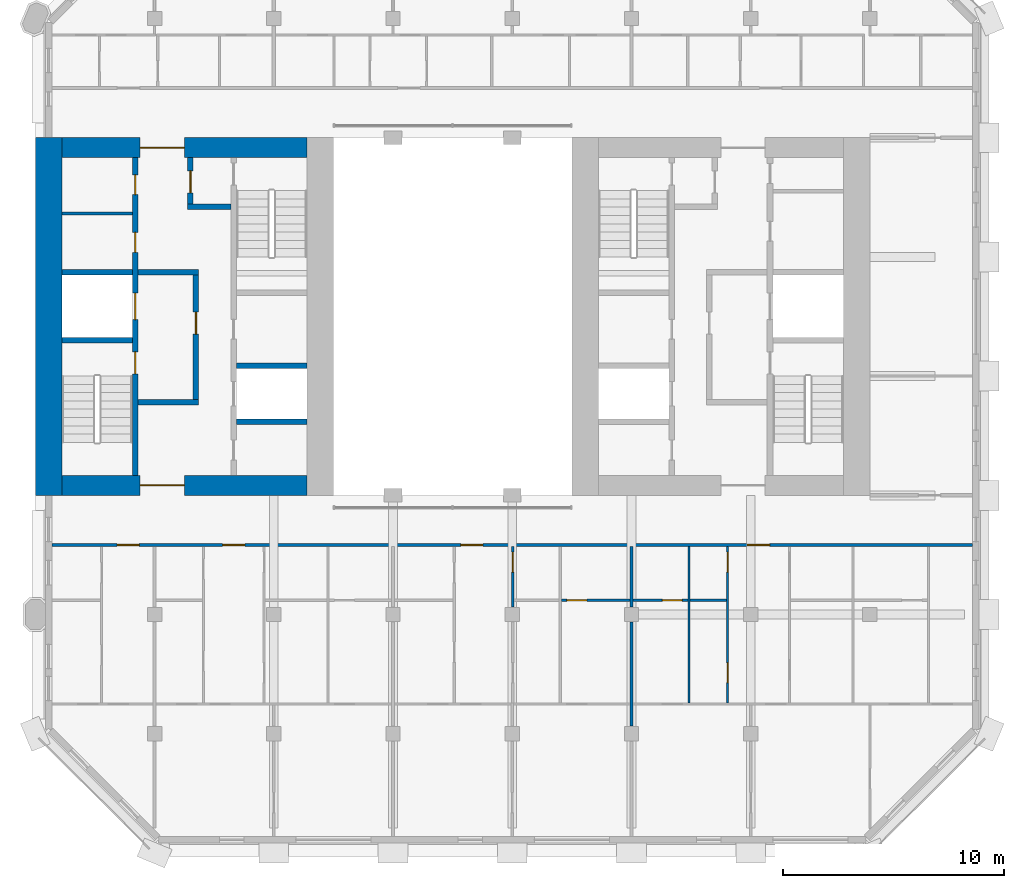
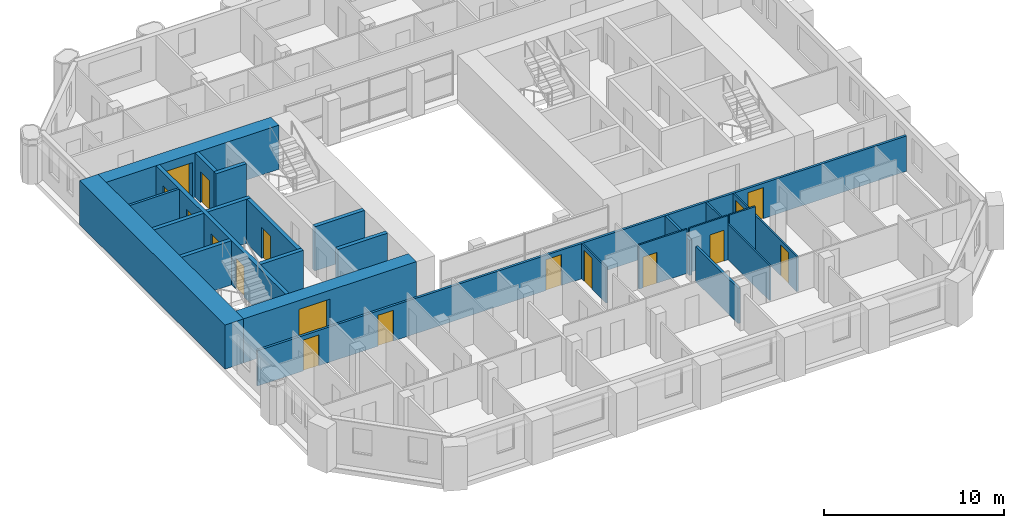
# One storey, part 9 of 16: 23 walls, 17 doors, 17 openings.
"""IFC4 building model written with IfcOpenShell, lengths in metres."""

from ifc_helpers import new_model, si_unit, direction, frame, frame_2d, origin, place, context, subcontext, project, spatial, rectangle, extrude, material, layer, layer_set, type_object, element, fill, save


model = new_model("IFC4")

# Units and contexts
model_context = context("Model", 3, precision=1e-05, world=origin(), true_north=direction((0.0, 1.0)))
body_context = subcontext(model_context, "Body", "Model", "MODEL_VIEW")
ifc_project = project(units=[si_unit("LENGTHUNIT", "METRE"), si_unit("AREAUNIT", "SQUARE_METRE"), si_unit("VOLUMEUNIT", "CUBIC_METRE"), si_unit("PLANEANGLEUNIT", "RADIAN"), si_unit("MASSUNIT", "GRAM", prefix="KILO")], contexts=[model_context])

# Site, building, storey
site_placement = place(None, origin())
site = spatial("IfcSite", under=ifc_project, at=site_placement, CompositionType="ELEMENT")
building_placement = place(site_placement, origin())
building = spatial("IfcBuilding", under=site, at=building_placement, Name="Tabaq Tower and Sports Hall", CompositionType="ELEMENT")
storey_placement = place(building_placement, frame((0.0, 0.0, 268.60009765625)))
storey = spatial("IfcBuildingStorey", under=building, at=storey_placement, Name="L65", CompositionType="ELEMENT", Elevation=268.60009765625)

# Walls
ifc_material_1 = material(Name="Blockwork", Category="masonry")
ifc_layer_1 = layer(ifc_material_1, 0.14990234375)
ifc_layer_set_1 = layer_set([ifc_layer_1], Name="Core room partition 150 Blockwork")
wall_type_1 = type_object("IfcWallType", Name="Core room partition 150 Blockwork", PredefinedType="PARTITIONING", material=ifc_layer_set_1)
wall_1_placement = place(storey_placement, frame((6.60009765625, 28.962890625, 0.0), z_axis=(0.0, 0.0, 1.0), x_axis=(1.0, 0.0, 0.0)))
element("IfcWall", 1, at=wall_1_placement, inside=storey, type_object=wall_type_1, Name="Core room partition W L65", PredefinedType="PARTITIONING", context=body_context, shape_type="SweptSolid", body=[
    extrude(rectangle(XDim=3.199951171875, YDim=0.14990234375, at=frame_2d((1.60009765625, 0.0))), origin(), (0.0, 0.0, 1.0), 3.0),
])
ifc_material_2 = material(Name="Concrete C40/50", Category="concrete")
ifc_layer_2 = layer(ifc_material_2, 1.199951171875)
ifc_layer_set_2 = layer_set([ifc_layer_2], Name="Core wall 1200 Concrete C40/50")
wall_type_2 = type_object("IfcWallType", Name="Core wall 1200 Concrete C40/50", PredefinedType="SOLIDWALL", material=ifc_layer_set_2)
wall_2_placement = place(storey_placement, frame((6.0, 16.199951171875, 0.0), z_axis=(0.0, 0.0, 1.0), x_axis=(0.0, 1.0, 0.0)))
element("IfcWall", 2, at=wall_2_placement, inside=storey, type_object=wall_type_2, Name="Core wall W L65", PredefinedType="SOLIDWALL", context=body_context, shape_type="SweptSolid", body=[
    extrude(rectangle(XDim=16.199951171875, YDim=1.199951171875, at=frame_2d((8.10009765625, 0.0))), origin(), (0.0, 0.0, 1.0), 3.0),
])

# Wall, opening, door
ifc_material_3 = material(Name="Concrete C40/50", Category="concrete")
ifc_layer_3 = layer(ifc_material_3, 0.89990234375)
ifc_layer_set_3 = layer_set([ifc_layer_3], Name="Core wall 900 Concrete C40/50")
wall_type_3 = type_object("IfcWallType", Name="Core wall 900 Concrete C40/50", PredefinedType="SOLIDWALL", material=ifc_layer_set_3)
wall_3_placement = place(storey_placement, frame((17.699951171875, 16.64990234375, 0.0), z_axis=(0.0, 0.0, 1.0), x_axis=(-1.0, 0.0, 0.0)))
wall_3 = element("IfcWall", 3, at=wall_3_placement, inside=storey, type_object=wall_type_3, Name="Core wall W L65", PredefinedType="SOLIDWALL", context=body_context, shape_type="SweptSolid", body=[
    extrude(rectangle(XDim=11.099853515625, YDim=0.89990234375, at=frame_2d((5.5498046875, 0.0))), origin(), (0.0, 0.0, 1.0), 3.0),
])
opening_1_placement = place(wall_3_placement, frame((5.550048828125, 0.0, 0.0)))
opening_1 = element("IfcOpeningElement", 4, at=opening_1_placement, cuts=wall_3, Name="Opening PD-WL65-01", PredefinedType="OPENING", context=body_context, shape_type="SweptSolid", body=[
    extrude(rectangle(XDim=2.0, YDim=2.39990234375, at=frame_2d((1.0, 1.199951171875))), frame((0.0, 0.449951171875, 0.0), z_axis=(0.0, -1.0, 0.0), x_axis=(1.0, 0.0, 0.0)), (0.0, 0.0, 1.0), 0.89990234375),
])
ifc_material_4 = material(Name="Steel fire door", Category="steel")
door_type_1 = type_object("IfcDoorType", Name="Core entrance door 2000", OperationType="DOUBLE_DOOR_SINGLE_SWING", PredefinedType="DOOR", material=ifc_material_4)
door_1_placement = place(opening_1_placement, origin())
door_1 = element("IfcDoor", 5, at=door_1_placement, inside=storey, type_object=door_type_1, Name="Core entrance south W L65", OperationType="DOUBLE_DOOR_SINGLE_SWING", OverallHeight=2.39990234375, OverallWidth=2.0, PredefinedType="DOOR", context=body_context, shape_type="SweptSolid", body=[
    extrude(rectangle(XDim=2.0, YDim=2.39990234375, at=frame_2d((1.0, 1.199951171875))), frame((0.0, 0.02490234375, 0.0), z_axis=(0.0, -1.0, 0.0), x_axis=(1.0, 0.0, 0.0)), (0.0, 0.0, 1.0), 0.050048828125),
])
fill(opening_1, door_1)

wall_4_placement = place(storey_placement, frame((6.60009765625, 31.949951171875, 0.0), z_axis=(0.0, 0.0, 1.0), x_axis=(1.0, 0.0, 0.0)))
wall_4 = element("IfcWall", 6, at=wall_4_placement, inside=storey, type_object=wall_type_3, Name="Core wall W L65", PredefinedType="SOLIDWALL", context=body_context, shape_type="SweptSolid", body=[
    extrude(rectangle(XDim=11.099853515625, YDim=0.89990234375, at=frame_2d((5.5498046875, 0.0))), origin(), (0.0, 0.0, 1.0), 3.0),
])
opening_2_placement = place(wall_4_placement, frame((3.550048828125, 0.0, 0.0)))
opening_2 = element("IfcOpeningElement", 7, at=opening_2_placement, cuts=wall_4, Name="Opening PD-WL65-02", PredefinedType="OPENING", context=body_context, shape_type="SweptSolid", body=[
    extrude(rectangle(XDim=2.0, YDim=2.39990234375, at=frame_2d((1.0, 1.199951171875))), frame((0.0, 0.449951171875, 0.0), z_axis=(0.0, -1.0, 0.0), x_axis=(1.0, 0.0, 0.0)), (0.0, 0.0, 1.0), 0.89990234375),
])
door_2_placement = place(opening_2_placement, origin())
door_2 = element("IfcDoor", 8, at=door_2_placement, inside=storey, type_object=door_type_1, Name="Core entrance north W L65", OperationType="DOUBLE_DOOR_SINGLE_SWING", OverallHeight=2.39990234375, OverallWidth=2.0, PredefinedType="DOOR", context=body_context, shape_type="SweptSolid", body=[
    extrude(rectangle(XDim=2.0, YDim=2.39990234375, at=frame_2d((1.0, 1.199951171875))), frame((0.0, 0.02490234375, 0.0), z_axis=(0.0, -1.0, 0.0), x_axis=(1.0, 0.0, 0.0)), (0.0, 0.0, 1.0), 0.050048828125),
])
fill(opening_2, door_2)

ifc_material_5 = material(Name="Gypsum board on steel studs", Category="steel")
ifc_layer_4 = layer(ifc_material_5, 0.10009765625)
ifc_layer_set_4 = layer_set([ifc_layer_4], Name="Partition 100 Gypsum board")
wall_type_4 = type_object("IfcWallType", Name="Partition 100 Gypsum board", PredefinedType="PARTITIONING", material=ifc_layer_set_4)
wall_5_placement = place(storey_placement, frame((27.02001953125, 11.14501953125, 0.0), z_axis=(0.0, 0.0, 1.0), x_axis=(0.0, 1.0, 0.0)))
wall_5 = element("IfcWall", 9, at=wall_5_placement, inside=storey, type_object=wall_type_4, Name="Partition wall L65", PredefinedType="PARTITIONING", context=body_context, shape_type="SweptSolid", body=[
    extrude(rectangle(XDim=2.72998046875, YDim=0.10009765625, at=frame_2d((1.364990234375, 0.0))), origin(), (0.0, 0.0, 1.0), 2.39990234375),
])
opening_3_placement = place(wall_5_placement, frame((1.580078125, 0.0, 0.0)))
opening_3 = element("IfcOpeningElement", 10, at=opening_3_placement, cuts=wall_5, Name="Opening L65-021", PredefinedType="OPENING", context=body_context, shape_type="SweptSolid", body=[
    extrude(rectangle(XDim=0.89990234375, YDim=2.10009765625, at=frame_2d((0.449951171875, 1.050048828125))), frame((0.0, 0.050048828125, 0.0), z_axis=(0.0, -1.0, 0.0), x_axis=(1.0, 0.0, 0.0)), (0.0, 0.0, 1.0), 0.10009765625),
])
ifc_material_6 = material(Name="Timber leaf in steel frame", Category="steel")
door_type_2 = type_object("IfcDoorType", Name="Internal door 900 left hand", OperationType="SINGLE_SWING_LEFT", PredefinedType="DOOR", material=ifc_material_6)
door_3_placement = place(opening_3_placement, origin())
door_3 = element("IfcDoor", 11, at=door_3_placement, inside=storey, type_object=door_type_2, Name="Internal door L65-021", OperationType="SINGLE_SWING_LEFT", OverallHeight=2.10009765625, OverallWidth=0.89990234375, PredefinedType="DOOR", context=body_context, shape_type="SweptSolid", body=[
    extrude(rectangle(XDim=0.89990234375, YDim=2.10009765625, at=frame_2d((0.449951171875, 1.050048828125))), frame((0.0, 0.02490234375, 0.0), z_axis=(0.0, -1.0, 0.0), x_axis=(1.0, 0.0, 0.0)), (0.0, 0.0, 1.0), 0.050048828125),
])
fill(opening_3, door_3)

wall_6_placement = place(storey_placement, frame((32.324951171875, 11.449951171875, 0.0), z_axis=(0.0, 0.0, 1.0), x_axis=(-1.0, 0.0, 0.0)))
wall_6 = element("IfcWall", 12, at=wall_6_placement, inside=storey, type_object=wall_type_4, Name="Partition wall L65", PredefinedType="PARTITIONING", context=body_context, shape_type="SweptSolid", body=[
    extrude(rectangle(XDim=3.098876953125, YDim=0.10009765625, at=frame_2d((1.54931640625, 0.0))), origin(), (0.0, 0.0, 1.0), 3.0),
])
opening_4_placement = place(wall_6_placement, frame((1.948974609375, 0.0, 0.0)))
opening_4 = element("IfcOpeningElement", 13, at=opening_4_placement, cuts=wall_6, Name="Opening L65-022", PredefinedType="OPENING", context=body_context, shape_type="SweptSolid", body=[
    extrude(rectangle(XDim=0.89990234375, YDim=2.10009765625, at=frame_2d((0.449951171875, 1.050048828125))), frame((0.0, 0.050048828125, 0.0), z_axis=(0.0, -1.0, 0.0), x_axis=(1.0, 0.0, 0.0)), (0.0, 0.0, 1.0), 0.10009765625),
])
door_4_placement = place(opening_4_placement, origin())
door_4 = element("IfcDoor", 14, at=door_4_placement, inside=storey, type_object=door_type_2, Name="Internal door L65-022", OperationType="SINGLE_SWING_LEFT", OverallHeight=2.10009765625, OverallWidth=0.89990234375, PredefinedType="DOOR", context=body_context, shape_type="SweptSolid", body=[
    extrude(rectangle(XDim=0.89990234375, YDim=2.10009765625, at=frame_2d((0.449951171875, 1.050048828125))), frame((0.0, 0.02490234375, 0.0), z_axis=(0.0, -1.0, 0.0), x_axis=(1.0, 0.0, 0.0)), (0.0, 0.0, 1.0), 0.050048828125),
])
fill(opening_4, door_4)

wall_7_placement = place(storey_placement, frame((34.949951171875, 11.449951171875, 0.0), z_axis=(0.0, 0.0, 1.0), x_axis=(-1.0, 0.0, 0.0)))
wall_7 = element("IfcWall", 15, at=wall_7_placement, inside=storey, type_object=wall_type_4, Name="Partition wall L65", PredefinedType="PARTITIONING", context=body_context, shape_type="SweptSolid", body=[
    extrude(rectangle(XDim=2.474853515625, YDim=0.10009765625, at=frame_2d((1.2373046875, 0.0))), origin(), (0.0, 0.0, 1.0), 3.0),
])
opening_5_placement = place(wall_7_placement, frame((0.25, 0.0, 0.0)))
opening_5 = element("IfcOpeningElement", 16, at=opening_5_placement, cuts=wall_7, Name="Opening L65-024", PredefinedType="OPENING", context=body_context, shape_type="SweptSolid", body=[
    extrude(rectangle(XDim=0.89990234375, YDim=2.10009765625, at=frame_2d((0.449951171875, 1.050048828125))), frame((0.0, 0.050048828125, 0.0), z_axis=(0.0, -1.0, 0.0), x_axis=(1.0, 0.0, 0.0)), (0.0, 0.0, 1.0), 0.10009765625),
])
door_5_placement = place(opening_5_placement, origin())
door_5 = element("IfcDoor", 17, at=door_5_placement, inside=storey, type_object=door_type_2, Name="Internal door L65-024", OperationType="SINGLE_SWING_LEFT", OverallHeight=2.10009765625, OverallWidth=0.89990234375, PredefinedType="DOOR", context=body_context, shape_type="SweptSolid", body=[
    extrude(rectangle(XDim=0.89990234375, YDim=2.10009765625, at=frame_2d((0.449951171875, 1.050048828125))), frame((0.0, 0.02490234375, 0.0), z_axis=(0.0, -1.0, 0.0), x_axis=(1.0, 0.0, 0.0)), (0.0, 0.0, 1.0), 0.050048828125),
])
fill(opening_5, door_5)

# Walls
wall_8_placement = place(storey_placement, frame((35.0, 6.800048828125, 0.0), z_axis=(0.0, 0.0, 1.0), x_axis=(0.0, 1.0, 0.0)))
element("IfcWall", 18, at=wall_8_placement, inside=storey, type_object=wall_type_4, Name="Partition wall L65", PredefinedType="PARTITIONING", context=body_context, shape_type="SweptSolid", body=[
    extrude(rectangle(XDim=7.074951171875, YDim=0.10009765625, at=frame_2d((3.53759765625, 0.0))), origin(), (0.0, 0.0, 1.0), 2.39990234375),
])
wall_9_placement = place(storey_placement, frame((36.7060546875, 11.449951171875, 0.0), z_axis=(0.0, 0.0, 1.0), x_axis=(-1.0, 0.0, 0.0)))
element("IfcWall", 19, at=wall_9_placement, inside=storey, type_object=wall_type_4, Name="Partition wall L65", PredefinedType="PARTITIONING", context=body_context, shape_type="SweptSolid", body=[
    extrude(rectangle(XDim=1.656005859375, YDim=0.10009765625, at=frame_2d((0.828125, 0.0))), origin(), (0.0, 0.0, 1.0), 3.0),
])

# Wall, openings, doors
wall_10_placement = place(storey_placement, frame((36.756103515625, 6.800048828125, 0.0), z_axis=(0.0, 0.0, 1.0), x_axis=(0.0, 1.0, 0.0)))
wall_10 = element("IfcWall", 20, at=wall_10_placement, inside=storey, type_object=wall_type_4, Name="Partition wall L65", PredefinedType="PARTITIONING", context=body_context, shape_type="SweptSolid", body=[
    extrude(rectangle(XDim=7.074951171875, YDim=0.10009765625, at=frame_2d((3.53759765625, 0.0))), origin(), (0.0, 0.0, 1.0), 2.39990234375),
])
opening_6_placement = place(wall_10_placement, frame((0.9169921875, 0.0, 0.0)))
opening_6 = element("IfcOpeningElement", 21, at=opening_6_placement, cuts=wall_10, Name="Opening L65-025", PredefinedType="OPENING", context=body_context, shape_type="SweptSolid", body=[
    extrude(rectangle(XDim=0.89990234375, YDim=2.10009765625, at=frame_2d((0.449951171875, 1.050048828125))), frame((0.0, 0.050048828125, 0.0), z_axis=(0.0, -1.0, 0.0), x_axis=(1.0, 0.0, 0.0)), (0.0, 0.0, 1.0), 0.10009765625),
])
opening_7_placement = place(wall_10_placement, frame((5.925048828125, 0.0, 0.0)))
opening_7 = element("IfcOpeningElement", 22, at=opening_7_placement, cuts=wall_10, Name="Opening L65-026", PredefinedType="OPENING", context=body_context, shape_type="SweptSolid", body=[
    extrude(rectangle(XDim=0.89990234375, YDim=2.10009765625, at=frame_2d((0.449951171875, 1.050048828125))), frame((0.0, 0.050048828125, 0.0), z_axis=(0.0, -1.0, 0.0), x_axis=(1.0, 0.0, 0.0)), (0.0, 0.0, 1.0), 0.10009765625),
])
door_6_placement = place(opening_7_placement, origin())
door_6 = element("IfcDoor", 23, at=door_6_placement, inside=storey, type_object=door_type_2, Name="Internal door L65-026", OperationType="SINGLE_SWING_LEFT", OverallHeight=2.10009765625, OverallWidth=0.89990234375, PredefinedType="DOOR", context=body_context, shape_type="SweptSolid", body=[
    extrude(rectangle(XDim=0.89990234375, YDim=2.10009765625, at=frame_2d((0.449951171875, 1.050048828125))), frame((0.0, 0.02490234375, 0.0), z_axis=(0.0, -1.0, 0.0), x_axis=(1.0, 0.0, 0.0)), (0.0, 0.0, 1.0), 0.050048828125),
])
fill(opening_7, door_6)
ifc_material_7 = material(Name="Timber leaf in steel frame", Category="steel")
door_type_3 = type_object("IfcDoorType", Name="Internal door 900 right hand", OperationType="SINGLE_SWING_RIGHT", PredefinedType="DOOR", material=ifc_material_7)
door_7_placement = place(opening_6_placement, origin())
door_7 = element("IfcDoor", 24, at=door_7_placement, inside=storey, type_object=door_type_3, Name="Internal door L65-025", OperationType="SINGLE_SWING_RIGHT", OverallHeight=2.10009765625, OverallWidth=0.89990234375, PredefinedType="DOOR", context=body_context, shape_type="SweptSolid", body=[
    extrude(rectangle(XDim=0.89990234375, YDim=2.10009765625, at=frame_2d((0.449951171875, 1.050048828125))), frame((0.0, 0.02490234375, 0.0), z_axis=(0.0, -1.0, 0.0), x_axis=(1.0, 0.0, 0.0)), (0.0, 0.0, 1.0), 0.050048828125),
])
fill(opening_6, door_7)

# Walls
ifc_material_8 = material(Name="Blockwork", Category="masonry")
ifc_layer_5 = layer(ifc_material_8, 0.14990234375)
ifc_layer_set_5 = layer_set([ifc_layer_5], Name="Separating wall 150 Blockwork")
wall_type_5 = type_object("IfcWallType", Name="Separating wall 150 Blockwork", PredefinedType="PARTITIONING", material=ifc_layer_set_5)
wall_11_placement = place(storey_placement, frame((32.39990234375, 5.7451171875, 0.0), z_axis=(0.0, 0.0, 1.0), x_axis=(0.0, 1.0, 0.0)))
element("IfcWall", 25, at=wall_11_placement, inside=storey, type_object=wall_type_5, Name="Separating wall L65", PredefinedType="PARTITIONING", context=body_context, shape_type="SweptSolid", body=[
    extrude(rectangle(XDim=4.7099609375, YDim=0.14990234375, at=frame_2d((2.35498046875, 0.0))), origin(), (0.0, 0.0, 1.0), 2.39990234375),
])
wall_12_placement = place(storey_placement, frame((32.39990234375, 11.14501953125, 0.0), z_axis=(0.0, 0.0, 1.0), x_axis=(0.0, 1.0, 0.0)))
element("IfcWall", 26, at=wall_12_placement, inside=storey, type_object=wall_type_5, Name="Separating wall L65", PredefinedType="PARTITIONING", context=body_context, shape_type="SweptSolid", body=[
    extrude(rectangle(XDim=2.72998046875, YDim=0.14990234375, at=frame_2d((1.364990234375, 0.0))), origin(), (0.0, 0.0, 1.0), 2.39990234375),
])

# Wall, openings, doors
wall_13_placement = place(storey_placement, frame((47.84912109375, 13.949951171875, 0.0), z_axis=(0.0, 0.0, 1.0), x_axis=(-1.0, 0.0, 0.0)))
wall_13 = element("IfcWall", 27, at=wall_13_placement, inside=storey, type_object=wall_type_5, Name="Separating wall L65", PredefinedType="PARTITIONING", context=body_context, shape_type="SweptSolid", body=[
    extrude(rectangle(XDim=41.6982421875, YDim=0.14990234375, at=frame_2d((20.84912109375, 0.0))), origin(), (0.0, 0.0, 1.0), 2.39990234375),
])
opening_8_placement = place(wall_13_placement, frame((37.7490234375, 0.0, 0.0)))
opening_8 = element("IfcOpeningElement", 28, at=opening_8_placement, cuts=wall_13, Name="Opening L65-062", PredefinedType="OPENING", context=body_context, shape_type="SweptSolid", body=[
    extrude(rectangle(XDim=1.0, YDim=2.10009765625, at=frame_2d((0.5, 1.050048828125))), frame((0.0, 0.074951171875, 0.0), z_axis=(0.0, -1.0, 0.0), x_axis=(1.0, 0.0, 0.0)), (0.0, 0.0, 1.0), 0.14990234375),
])
opening_9_placement = place(wall_13_placement, frame((32.9619140625, 0.0, 0.0)))
opening_9 = element("IfcOpeningElement", 29, at=opening_9_placement, cuts=wall_13, Name="Opening L65-063", PredefinedType="OPENING", context=body_context, shape_type="SweptSolid", body=[
    extrude(rectangle(XDim=1.0, YDim=2.10009765625, at=frame_2d((0.5, 1.050048828125))), frame((0.0, 0.074951171875, 0.0), z_axis=(0.0, -1.0, 0.0), x_axis=(1.0, 0.0, 0.0)), (0.0, 0.0, 1.0), 0.14990234375),
])
opening_10_placement = place(wall_13_placement, frame((22.178955078125, 0.0, 0.0)))
opening_10 = element("IfcOpeningElement", 30, at=opening_10_placement, cuts=wall_13, Name="Opening L65-064", PredefinedType="OPENING", context=body_context, shape_type="SweptSolid", body=[
    extrude(rectangle(XDim=1.0, YDim=2.10009765625, at=frame_2d((0.5, 1.050048828125))), frame((0.0, 0.074951171875, 0.0), z_axis=(0.0, -1.0, 0.0), x_axis=(1.0, 0.0, 0.0)), (0.0, 0.0, 1.0), 0.14990234375),
])
opening_11_placement = place(wall_13_placement, frame((9.193115234375, 0.0, 0.0)))
opening_11 = element("IfcOpeningElement", 31, at=opening_11_placement, cuts=wall_13, Name="Opening L65-065", PredefinedType="OPENING", context=body_context, shape_type="SweptSolid", body=[
    extrude(rectangle(XDim=1.0, YDim=2.10009765625, at=frame_2d((0.5, 1.050048828125))), frame((0.0, 0.074951171875, 0.0), z_axis=(0.0, -1.0, 0.0), x_axis=(1.0, 0.0, 0.0)), (0.0, 0.0, 1.0), 0.14990234375),
])
ifc_material_9 = material(Name="Steel fire door", Category="steel")
door_type_4 = type_object("IfcDoorType", Name="Entrance door 1000 left hand", OperationType="SINGLE_SWING_LEFT", PredefinedType="DOOR", material=ifc_material_9)
door_8_placement = place(opening_8_placement, origin())
door_8 = element("IfcDoor", 32, at=door_8_placement, inside=storey, type_object=door_type_4, Name="Entrance door L65-062", OperationType="SINGLE_SWING_LEFT", OverallHeight=2.10009765625, OverallWidth=1.0, PredefinedType="DOOR", context=body_context, shape_type="SweptSolid", body=[
    extrude(rectangle(XDim=1.0, YDim=2.10009765625, at=frame_2d((0.5, 1.050048828125))), frame((0.0, 0.02490234375, 0.0), z_axis=(0.0, -1.0, 0.0), x_axis=(1.0, 0.0, 0.0)), (0.0, 0.0, 1.0), 0.050048828125),
])
fill(opening_8, door_8)
door_9_placement = place(opening_9_placement, origin())
door_9 = element("IfcDoor", 33, at=door_9_placement, inside=storey, type_object=door_type_4, Name="Entrance door L65-063", OperationType="SINGLE_SWING_LEFT", OverallHeight=2.10009765625, OverallWidth=1.0, PredefinedType="DOOR", context=body_context, shape_type="SweptSolid", body=[
    extrude(rectangle(XDim=1.0, YDim=2.10009765625, at=frame_2d((0.5, 1.050048828125))), frame((0.0, 0.02490234375, 0.0), z_axis=(0.0, -1.0, 0.0), x_axis=(1.0, 0.0, 0.0)), (0.0, 0.0, 1.0), 0.050048828125),
])
fill(opening_9, door_9)
door_10_placement = place(opening_11_placement, origin())
door_10 = element("IfcDoor", 34, at=door_10_placement, inside=storey, type_object=door_type_4, Name="Entrance door L65-065", OperationType="SINGLE_SWING_LEFT", OverallHeight=2.10009765625, OverallWidth=1.0, PredefinedType="DOOR", context=body_context, shape_type="SweptSolid", body=[
    extrude(rectangle(XDim=1.0, YDim=2.10009765625, at=frame_2d((0.5, 1.050048828125))), frame((0.0, 0.02490234375, 0.0), z_axis=(0.0, -1.0, 0.0), x_axis=(1.0, 0.0, 0.0)), (0.0, 0.0, 1.0), 0.050048828125),
])
fill(opening_11, door_10)
ifc_material_10 = material(Name="Steel fire door", Category="steel")
door_type_5 = type_object("IfcDoorType", Name="Entrance door 1000 right hand", OperationType="SINGLE_SWING_RIGHT", PredefinedType="DOOR", material=ifc_material_10)
door_11_placement = place(opening_10_placement, origin())
door_11 = element("IfcDoor", 35, at=door_11_placement, inside=storey, type_object=door_type_5, Name="Entrance door L65-064", OperationType="SINGLE_SWING_RIGHT", OverallHeight=2.10009765625, OverallWidth=1.0, PredefinedType="DOOR", context=body_context, shape_type="SweptSolid", body=[
    extrude(rectangle(XDim=1.0, YDim=2.10009765625, at=frame_2d((0.5, 1.050048828125))), frame((0.0, 0.02490234375, 0.0), z_axis=(0.0, -1.0, 0.0), x_axis=(1.0, 0.0, 0.0)), (0.0, 0.0, 1.0), 0.050048828125),
])
fill(opening_10, door_11)

ifc_material_11 = material(Name="Concrete C40/50", Category="concrete")
ifc_layer_6 = layer(ifc_material_11, 0.25)
ifc_layer_set_6 = layer_set([ifc_layer_6], Name="Shaft and stair wall 250 Concrete C40/50")
wall_type_6 = type_object("IfcWallType", Name="Shaft and stair wall 250 Concrete C40/50", PredefinedType="SOLIDWALL", material=ifc_layer_set_6)
wall_14_placement = place(storey_placement, frame((9.925048828125, 17.10009765625, 0.0), z_axis=(0.0, 0.0, 1.0), x_axis=(0.0, 1.0, 0.0)))
wall_14 = element("IfcWall", 36, at=wall_14_placement, inside=storey, type_object=wall_type_6, Name="Shaft wall W L65", PredefinedType="SOLIDWALL", context=body_context, shape_type="SweptSolid", body=[
    extrude(rectangle(XDim=14.39990234375, YDim=0.25, at=frame_2d((7.199951171875, 0.0))), origin(), (0.0, 0.0, 1.0), 3.0),
])
opening_12_placement = place(wall_14_placement, frame((4.60009765625, 0.0, 0.0)))
opening_12 = element("IfcOpeningElement", 37, at=opening_12_placement, cuts=wall_14, Name="Opening SD-WL65-03", PredefinedType="OPENING", context=body_context, shape_type="SweptSolid", body=[
    extrude(rectangle(XDim=1.0, YDim=2.10009765625, at=frame_2d((0.5, 1.050048828125))), frame((0.0, 0.125, 0.0), z_axis=(0.0, -1.0, 0.0), x_axis=(1.0, 0.0, 0.0)), (0.0, 0.0, 1.0), 0.25),
])
opening_13_placement = place(wall_14_placement, frame((7.0625, 0.0, 0.0)))
opening_13 = element("IfcOpeningElement", 38, at=opening_13_placement, cuts=wall_14, Name="Opening LD-FF1-L65", PredefinedType="OPENING", context=body_context, shape_type="SweptSolid", body=[
    extrude(rectangle(XDim=1.199951171875, YDim=2.10009765625, at=frame_2d((0.60009765625, 1.050048828125))), frame((0.0, 0.125, 0.0), z_axis=(0.0, -1.0, 0.0), x_axis=(1.0, 0.0, 0.0)), (0.0, 0.0, 1.0), 0.25),
])
opening_14_placement = place(wall_14_placement, frame((10.1064453125, 0.0, 0.0)))
opening_14 = element("IfcOpeningElement", 39, at=opening_14_placement, cuts=wall_14, Name="Opening RD-WL65-09", PredefinedType="OPENING", context=body_context, shape_type="SweptSolid", body=[
    extrude(rectangle(XDim=0.89990234375, YDim=2.10009765625, at=frame_2d((0.449951171875, 1.050048828125))), frame((0.0, 0.125, 0.0), z_axis=(0.0, -1.0, 0.0), x_axis=(1.0, 0.0, 0.0)), (0.0, 0.0, 1.0), 0.25),
])
opening_15_placement = place(wall_14_placement, frame((12.718994140625, 0.0, 0.0)))
opening_15 = element("IfcOpeningElement", 40, at=opening_15_placement, cuts=wall_14, Name="Opening RD-WL65-10", PredefinedType="OPENING", context=body_context, shape_type="SweptSolid", body=[
    extrude(rectangle(XDim=0.89990234375, YDim=2.10009765625, at=frame_2d((0.449951171875, 1.050048828125))), frame((0.0, 0.125, 0.0), z_axis=(0.0, -1.0, 0.0), x_axis=(1.0, 0.0, 0.0)), (0.0, 0.0, 1.0), 0.25),
])
ifc_material_12 = material(Name="Steel fire door", Category="steel")
door_type_6 = type_object("IfcDoorType", Name="Core room door 900", OperationType="SINGLE_SWING_LEFT", PredefinedType="DOOR", material=ifc_material_12)
door_12_placement = place(opening_14_placement, origin())
door_12 = element("IfcDoor", 41, at=door_12_placement, inside=storey, type_object=door_type_6, Name="Door Electrical Room W L65", OperationType="SINGLE_SWING_LEFT", OverallHeight=2.10009765625, OverallWidth=0.89990234375, PredefinedType="DOOR", context=body_context, shape_type="SweptSolid", body=[
    extrude(rectangle(XDim=0.89990234375, YDim=2.10009765625, at=frame_2d((0.449951171875, 1.050048828125))), frame((0.0, 0.02490234375, 0.0), z_axis=(0.0, -1.0, 0.0), x_axis=(1.0, 0.0, 0.0)), (0.0, 0.0, 1.0), 0.050048828125),
])
fill(opening_14, door_12)
door_13_placement = place(opening_15_placement, origin())
door_13 = element("IfcDoor", 42, at=door_13_placement, inside=storey, type_object=door_type_6, Name="Door Comms Room W L65", OperationType="SINGLE_SWING_LEFT", OverallHeight=2.10009765625, OverallWidth=0.89990234375, PredefinedType="DOOR", context=body_context, shape_type="SweptSolid", body=[
    extrude(rectangle(XDim=0.89990234375, YDim=2.10009765625, at=frame_2d((0.449951171875, 1.050048828125))), frame((0.0, 0.02490234375, 0.0), z_axis=(0.0, -1.0, 0.0), x_axis=(1.0, 0.0, 0.0)), (0.0, 0.0, 1.0), 0.050048828125),
])
fill(opening_15, door_13)
ifc_material_13 = material(Name="Stainless steel", Category="steel")
door_type_7 = type_object("IfcDoorType", Name="Lift landing door 1200", OperationType="DOUBLE_DOOR_SLIDING", PredefinedType="DOOR", material=ifc_material_13)
door_14_placement = place(opening_13_placement, origin())
door_14 = element("IfcDoor", 43, at=door_14_placement, inside=storey, type_object=door_type_7, Name="Lift landing door FF1 W L65", OperationType="DOUBLE_DOOR_SLIDING", OverallHeight=2.10009765625, OverallWidth=1.199951171875, PredefinedType="DOOR", context=body_context, shape_type="SweptSolid", body=[
    extrude(rectangle(XDim=1.199951171875, YDim=2.10009765625, at=frame_2d((0.60009765625, 1.050048828125))), frame((0.0, 0.02490234375, 0.0), z_axis=(0.0, -1.0, 0.0), x_axis=(1.0, 0.0, 0.0)), (0.0, 0.0, 1.0), 0.050048828125),
])
fill(opening_13, door_14)
ifc_material_14 = material(Name="Steel fire door", Category="steel")
door_type_8 = type_object("IfcDoorType", Name="Stair door 1000", OperationType="SINGLE_SWING_LEFT", PredefinedType="DOOR", material=ifc_material_14)
door_15_placement = place(opening_12_placement, origin())
door_15 = element("IfcDoor", 44, at=door_15_placement, inside=storey, type_object=door_type_8, Name="Stair door ST1 W L65", OperationType="SINGLE_SWING_LEFT", OverallHeight=2.10009765625, OverallWidth=1.0, PredefinedType="DOOR", context=body_context, shape_type="SweptSolid", body=[
    extrude(rectangle(XDim=1.0, YDim=2.10009765625, at=frame_2d((0.5, 1.050048828125))), frame((0.0, 0.02490234375, 0.0), z_axis=(0.0, -1.0, 0.0), x_axis=(1.0, 0.0, 0.0)), (0.0, 0.0, 1.0), 0.050048828125),
])
fill(opening_12, door_15)

# Walls
for number, where, z_axis, x_axis, name in (
    (45, (6.60009765625, 23.22509765625, 0.0), (0.0, 0.0, 1.0), (1.0, 0.0, 0.0), "Stair enclosure wall W L65"),
    (46, (14.5, 22.074951171875, 0.0), (0.0, 0.0, 1.0), (1.0, 0.0, 0.0), "Shaft wall W L65"),
    (47, (6.60009765625, 26.300048828125, 0.0), (0.0, 0.0, 1.0), (1.0, 0.0, 0.0), "Shaft wall W L65"),
):
    element("IfcWall", number, at=place(storey_placement, frame(where, z_axis=z_axis, x_axis=x_axis)), inside=storey, type_object=wall_type_6, Name=name, PredefinedType="SOLIDWALL", context=body_context, shape_type="SweptSolid", body=[
        extrude(rectangle(XDim=3.199951171875, YDim=0.25, at=frame_2d((1.60009765625, 0.0))), origin(), (0.0, 0.0, 1.0), 3.0),
    ])
for number, where, z_axis, x_axis, name in (
    (48, (10.050048828125, 26.300048828125, 0.0), (0.0, 0.0, 1.0), (1.0, 0.0, 0.0), "Fire-fighting lobby wall W L65"),
    (49, (10.050048828125, 20.425048828125, 0.0), (0.0, 0.0, 1.0), (1.0, 0.0, 0.0), "Fire-fighting lobby wall W L65"),
):
    element("IfcWall", number, at=place(storey_placement, frame(where, z_axis=z_axis, x_axis=x_axis)), inside=storey, type_object=wall_type_6, Name=name, PredefinedType="SOLIDWALL", context=body_context, shape_type="SweptSolid", body=[
        extrude(rectangle(XDim=2.75, YDim=0.25, at=frame_2d((1.375, 0.0))), origin(), (0.0, 0.0, 1.0), 3.0),
    ])

# Wall, opening, door
wall_15_placement = place(storey_placement, frame((12.425048828125, 29.39990234375, 0.0), z_axis=(0.0, 0.0, 1.0), x_axis=(0.0, 1.0, 0.0)))
wall_15 = element("IfcWall", 50, at=wall_15_placement, inside=storey, type_object=wall_type_6, Name="Fire-fighting lobby wall W L65", PredefinedType="SOLIDWALL", context=body_context, shape_type="SweptSolid", body=[
    extrude(rectangle(XDim=2.10009765625, YDim=0.25, at=frame_2d((1.050048828125, 0.0))), origin(), (0.0, 0.0, 1.0), 3.0),
])
opening_16_placement = place(wall_15_placement, frame((0.5, 0.0, 0.0)))
opening_16 = element("IfcOpeningElement", 51, at=opening_16_placement, cuts=wall_15, Name="Opening FD-WL65-06", PredefinedType="OPENING", context=body_context, shape_type="SweptSolid", body=[
    extrude(rectangle(XDim=1.0, YDim=2.10009765625, at=frame_2d((0.5, 1.050048828125))), frame((0.0, 0.125, 0.0), z_axis=(0.0, -1.0, 0.0), x_axis=(1.0, 0.0, 0.0)), (0.0, 0.0, 1.0), 0.25),
])
ifc_material_15 = material(Name="Steel fire door", Category="steel")
door_type_9 = type_object("IfcDoorType", Name="Fire-fighting lobby door 1000", OperationType="SINGLE_SWING_LEFT", PredefinedType="DOOR", material=ifc_material_15)
door_16_placement = place(opening_16_placement, origin())
door_16 = element("IfcDoor", 52, at=door_16_placement, inside=storey, type_object=door_type_9, Name="Stair lobby door W L65", OperationType="SINGLE_SWING_LEFT", OverallHeight=2.10009765625, OverallWidth=1.0, PredefinedType="DOOR", context=body_context, shape_type="SweptSolid", body=[
    extrude(rectangle(XDim=1.0, YDim=2.10009765625, at=frame_2d((0.5, 1.050048828125))), frame((0.0, 0.02490234375, 0.0), z_axis=(0.0, -1.0, 0.0), x_axis=(1.0, 0.0, 0.0)), (0.0, 0.0, 1.0), 0.050048828125),
])
fill(opening_16, door_16)

# Wall
wall_16_placement = place(storey_placement, frame((12.300048828125, 29.27490234375, 0.0), z_axis=(0.0, 0.0, 1.0), x_axis=(1.0, 0.0, 0.0)))
element("IfcWall", 53, at=wall_16_placement, inside=storey, type_object=wall_type_6, Name="Fire-fighting lobby wall W L65", PredefinedType="SOLIDWALL", context=body_context, shape_type="SweptSolid", body=[
    extrude(rectangle(XDim=1.949951171875, YDim=0.25, at=frame_2d((0.97509765625, 0.0))), origin(), (0.0, 0.0, 1.0), 3.0),
])

# Wall, opening, door
wall_17_placement = place(storey_placement, frame((12.675048828125, 20.550048828125, 0.0), z_axis=(0.0, 0.0, 1.0), x_axis=(0.0, 1.0, 0.0)))
wall_17 = element("IfcWall", 54, at=wall_17_placement, inside=storey, type_object=wall_type_6, Name="Fire-fighting lobby wall W L65", PredefinedType="SOLIDWALL", context=body_context, shape_type="SweptSolid", body=[
    extrude(rectangle(XDim=5.625, YDim=0.25, at=frame_2d((2.8125, 0.0))), origin(), (0.0, 0.0, 1.0), 3.0),
])
opening_17_placement = place(wall_17_placement, frame((2.949951171875, 0.0, 0.0)))
opening_17 = element("IfcOpeningElement", 55, at=opening_17_placement, cuts=wall_17, Name="Opening FD-WL65-04", PredefinedType="OPENING", context=body_context, shape_type="SweptSolid", body=[
    extrude(rectangle(XDim=1.0, YDim=2.10009765625, at=frame_2d((0.5, 1.050048828125))), frame((0.0, 0.125, 0.0), z_axis=(0.0, -1.0, 0.0), x_axis=(1.0, 0.0, 0.0)), (0.0, 0.0, 1.0), 0.25),
])
door_17_placement = place(opening_17_placement, origin())
door_17 = element("IfcDoor", 56, at=door_17_placement, inside=storey, type_object=door_type_9, Name="Fire-fighting lobby door W L65", OperationType="SINGLE_SWING_LEFT", OverallHeight=2.10009765625, OverallWidth=1.0, PredefinedType="DOOR", context=body_context, shape_type="SweptSolid", body=[
    extrude(rectangle(XDim=1.0, YDim=2.10009765625, at=frame_2d((0.5, 1.050048828125))), frame((0.0, 0.02490234375, 0.0), z_axis=(0.0, -1.0, 0.0), x_axis=(1.0, 0.0, 0.0)), (0.0, 0.0, 1.0), 0.050048828125),
])
fill(opening_17, door_17)

# Wall
wall_18_placement = place(storey_placement, frame((14.5, 19.52490234375, 0.0), z_axis=(0.0, 0.0, 1.0), x_axis=(1.0, 0.0, 0.0)))
element("IfcWall", 57, at=wall_18_placement, inside=storey, type_object=wall_type_6, Name="Shaft wall W L65", PredefinedType="SOLIDWALL", context=body_context, shape_type="SweptSolid", body=[
    extrude(rectangle(XDim=3.199951171875, YDim=0.25, at=frame_2d((1.60009765625, 0.0))), origin(), (0.0, 0.0, 1.0), 3.0),
])

save(model, "model.ifc")
